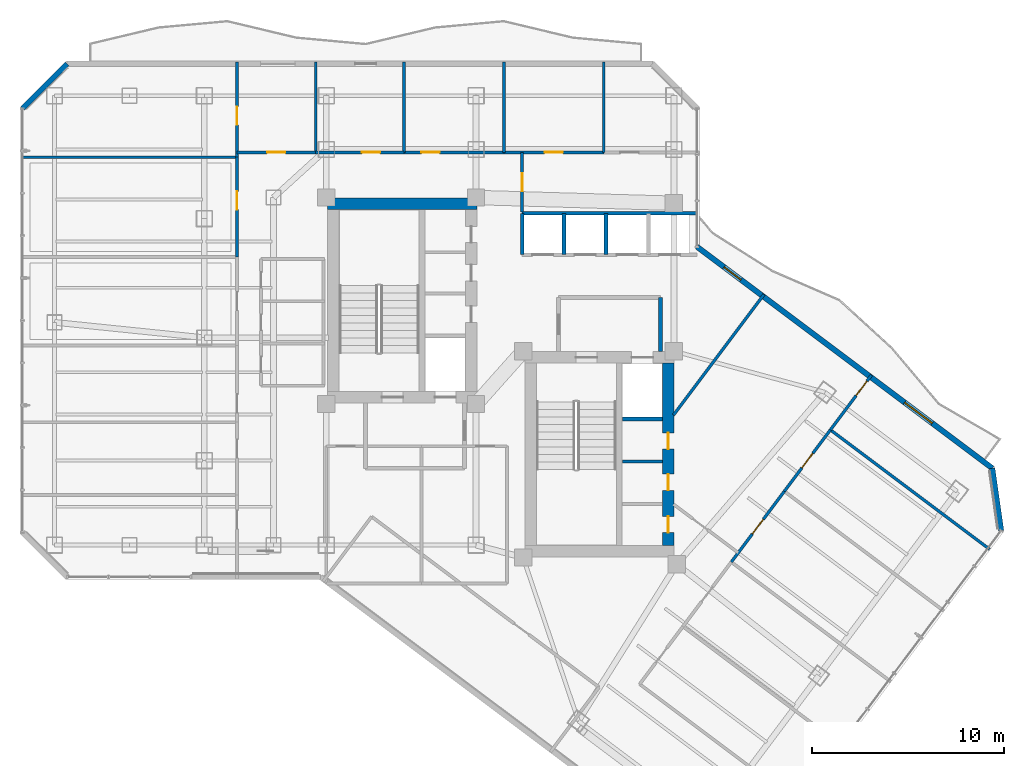
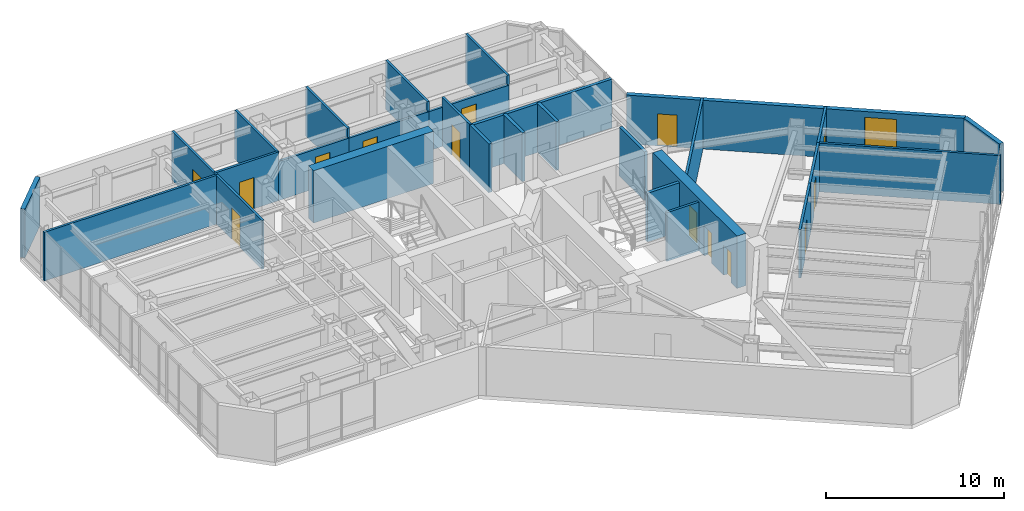
# One storey, part 24 of 29: 29 walls, 14 doors, 1 window, 15 openings.
"""IFC4 building model written with IfcOpenShell, lengths in metres."""

from ifc_helpers import new_model, si_unit, direction, frame, frame_2d, origin, place, context, subcontext, project, spatial, rectangle, extrude, material, layer, layer_set, type_object, element, fill, save


model = new_model("IFC4")

# Units and contexts
model_context = context("Model", 3, precision=1e-05, world=origin(), true_north=direction((0.0, 1.0)))
body_context = subcontext(model_context, "Body", "Model", "MODEL_VIEW")
ifc_project = project(units=[si_unit("LENGTHUNIT", "METRE"), si_unit("AREAUNIT", "SQUARE_METRE"), si_unit("VOLUMEUNIT", "CUBIC_METRE"), si_unit("PLANEANGLEUNIT", "RADIAN"), si_unit("MASSUNIT", "GRAM", prefix="KILO")], contexts=[model_context])

# Site, building, storey
site_placement = place(None, origin())
site = spatial("IfcSite", under=ifc_project, at=site_placement, CompositionType="ELEMENT")
building_placement = place(site_placement, origin())
building = spatial("IfcBuilding", under=site, at=building_placement, Name="Hatsunagi Terrace Concourse", CompositionType="ELEMENT")
storey_placement = place(building_placement, frame((0.0, 0.0, 149.25)))
storey = spatial("IfcBuildingStorey", under=building, at=storey_placement, Name="L39", CompositionType="ELEMENT", Elevation=149.25)

# Wall
ifc_material_1 = material(Name="Concrete Fc48", Category="concrete")
ifc_layer_1 = layer(ifc_material_1, 0.60009765625)
ifc_layer_set_1 = layer_set([ifc_layer_1], Name="CoreShearWall_Fc48_600")
wall_type_1 = type_object("IfcWallType", Name="CoreShearWall_Fc48_600", PredefinedType="SHEAR", material=ifc_layer_set_1)
wall_1_placement = place(storey_placement, frame((25.6201171875, 42.969970703125, 0.0), z_axis=(0.0, 0.0, 1.0), x_axis=(1.0, 0.0, 0.0)))
element("IfcWall", 1, at=wall_1_placement, inside=storey, type_object=wall_type_1, Name="Core A Shear Wall N L39", PredefinedType="SHEAR", context=body_context, shape_type="SweptSolid", body=[
    extrude(rectangle(XDim=7.77978515625, YDim=0.60009765625, at=frame_2d((3.889892578125, 0.0))), origin(), (0.0, 0.0, 1.0), 3.60009765625),
])

# Wall, openings, doors
wall_2_placement = place(storey_placement, frame((43.35009765625, 25.18994140625, 0.0), z_axis=(0.0, 0.0, 1.0), x_axis=(0.0, 1.0, 0.0)))
wall_2 = element("IfcWall", 2, at=wall_2_placement, inside=storey, type_object=wall_type_1, Name="Core B Shear Wall E L39", PredefinedType="SHEAR", context=body_context, shape_type="SweptSolid", body=[
    extrude(rectangle(XDim=9.47998046875, YDim=0.60009765625, at=frame_2d((4.739990234375, 0.0))), origin(), (0.0, 0.0, 1.0), 3.60009765625),
])
opening_1_placement = place(wall_2_placement, frame((0.659912109375, 0.0, 0.0)))
opening_1 = element("IfcOpeningElement", 3, at=opening_1_placement, cuts=wall_2, Name="Opening DR-085", PredefinedType="OPENING", context=body_context, shape_type="SweptSolid", body=[
    extrude(rectangle(XDim=0.85009765625, YDim=2.080078125, at=frame_2d((0.425048828125, 1.0400390625))), frame((0.0, 0.31005859375, 0.0), z_axis=(0.0, -1.0, 0.0), x_axis=(1.0, 0.0, 0.0)), (0.0, 0.0, 1.0), 0.6201171875),
])
opening_2_placement = place(wall_2_placement, frame((2.860107421875, 0.0, 0.0)))
opening_2 = element("IfcOpeningElement", 4, at=opening_2_placement, cuts=wall_2, Name="Opening DR-085", PredefinedType="OPENING", context=body_context, shape_type="SweptSolid", body=[
    extrude(rectangle(XDim=0.85009765625, YDim=2.080078125, at=frame_2d((0.425048828125, 1.0400390625))), frame((0.0, 0.31005859375, 0.0), z_axis=(0.0, -1.0, 0.0), x_axis=(1.0, 0.0, 0.0)), (0.0, 0.0, 1.0), 0.6201171875),
])
opening_3_placement = place(wall_2_placement, frame((5.010009765625, 0.0, 0.0)))
opening_3 = element("IfcOpeningElement", 5, at=opening_3_placement, cuts=wall_2, Name="Opening DR-085", PredefinedType="OPENING", context=body_context, shape_type="SweptSolid", body=[
    extrude(rectangle(XDim=0.85009765625, YDim=2.080078125, at=frame_2d((0.425048828125, 1.0400390625))), frame((0.0, 0.31005859375, 0.0), z_axis=(0.0, -1.0, 0.0), x_axis=(1.0, 0.0, 0.0)), (0.0, 0.0, 1.0), 0.6201171875),
])
ifc_material_2 = material(Name="Painted steel", Category="steel")
door_type_1 = type_object("IfcDoorType", Name="RiserAccessDoor_EI60_850", OperationType="NOTDEFINED", PredefinedType="DOOR", material=ifc_material_2)
door_1_placement = place(opening_1_placement, origin())
door_1 = element("IfcDoor", 6, at=door_1_placement, inside=storey, type_object=door_type_1, Name="Core B Riser Door L39-1", OperationType="SINGLE_SWING_RIGHT", OverallHeight=2.080078125, OverallWidth=0.85009765625, PredefinedType="DOOR", context=body_context, shape_type="SweptSolid", body=[
    extrude(rectangle(XDim=0.85009765625, YDim=2.080078125, at=frame_2d((0.425048828125, 1.0400390625))), frame((0.0, 0.02490234375, 0.0), z_axis=(0.0, -1.0, 0.0), x_axis=(1.0, 0.0, 0.0)), (0.0, 0.0, 1.0), 0.050048828125),
])
fill(opening_1, door_1)
door_2_placement = place(opening_2_placement, origin())
door_2 = element("IfcDoor", 7, at=door_2_placement, inside=storey, type_object=door_type_1, Name="Core B Riser Door L39-2", OperationType="SINGLE_SWING_RIGHT", OverallHeight=2.080078125, OverallWidth=0.85009765625, PredefinedType="DOOR", context=body_context, shape_type="SweptSolid", body=[
    extrude(rectangle(XDim=0.85009765625, YDim=2.080078125, at=frame_2d((0.425048828125, 1.0400390625))), frame((0.0, 0.02490234375, 0.0), z_axis=(0.0, -1.0, 0.0), x_axis=(1.0, 0.0, 0.0)), (0.0, 0.0, 1.0), 0.050048828125),
])
fill(opening_2, door_2)
door_3_placement = place(opening_3_placement, origin())
door_3 = element("IfcDoor", 8, at=door_3_placement, inside=storey, type_object=door_type_1, Name="Core B Riser Door L39-3", OperationType="SINGLE_SWING_RIGHT", OverallHeight=2.080078125, OverallWidth=0.85009765625, PredefinedType="DOOR", context=body_context, shape_type="SweptSolid", body=[
    extrude(rectangle(XDim=0.85009765625, YDim=2.080078125, at=frame_2d((0.425048828125, 1.0400390625))), frame((0.0, 0.02490234375, 0.0), z_axis=(0.0, -1.0, 0.0), x_axis=(1.0, 0.0, 0.0)), (0.0, 0.0, 1.0), 0.050048828125),
])
fill(opening_3, door_3)

# Walls
ifc_material_3 = material(Name="Acoustic mineral board", Category="gypsum")
ifc_layer_2 = layer(ifc_material_3, 0.14990234375)
ifc_layer_set_2 = layer_set([ifc_layer_2], Name="PartitionWall_EI60_150")
wall_type_2 = type_object("IfcWallType", Name="PartitionWall_EI60_150", PredefinedType="PARTITIONING", material=ifc_layer_set_2)
wall_3_placement = place(storey_placement, frame((40.969970703125, 29.550048828125, 0.0), z_axis=(0.0, 0.0, 1.0), x_axis=(1.0, 0.0, 0.0)))
element("IfcWall", 9, at=wall_3_placement, inside=storey, type_object=wall_type_2, Name="Interior Partition IW-L39-006", PredefinedType="PARTITIONING", context=body_context, shape_type="SweptSolid", body=[
    extrude(rectangle(XDim=2.080078125, YDim=0.14990234375, at=frame_2d((1.0400390625, 0.0))), origin(), (0.0, 0.0, 1.0), 3.35009765625),
])
wall_4_placement = place(storey_placement, frame((9.639892578125, 45.39990234375, 0.0), z_axis=(0.0, 0.0, 1.0), x_axis=(1.0, 0.0, 0.0)))
element("IfcWall", 10, at=wall_4_placement, inside=storey, type_object=wall_type_2, Name="Interior Partition IW-L39-042", PredefinedType="PARTITIONING", context=body_context, shape_type="SweptSolid", body=[
    extrude(rectangle(XDim=11.260009765625, YDim=0.14990234375, at=frame_2d((5.6298828125, 0.0))), origin(), (0.0, 0.0, 1.0), 3.35009765625),
])

# Wall, opening, door
wall_5_placement = place(storey_placement, frame((20.89990234375, 40.199951171875, 0.0), z_axis=(0.0, 0.0, 1.0), x_axis=(0.0, 1.0, 0.0)))
wall_5 = element("IfcWall", 11, at=wall_5_placement, inside=storey, type_object=wall_type_2, Name="Interior Partition IW-L39-043", PredefinedType="PARTITIONING", context=body_context, shape_type="SweptSolid", body=[
    extrude(rectangle(XDim=5.199951171875, YDim=0.14990234375, at=frame_2d((2.60009765625, 0.0))), origin(), (0.0, 0.0, 1.0), 3.35009765625),
])
opening_4_placement = place(wall_5_placement, frame((2.47412109375, 0.0, 0.0)))
opening_4 = element("IfcOpeningElement", 12, at=opening_4_placement, cuts=wall_5, Name="Opening DR-095", PredefinedType="OPENING", context=body_context, shape_type="SweptSolid", body=[
    extrude(rectangle(XDim=0.949951171875, YDim=2.14990234375, at=frame_2d((0.47509765625, 1.074951171875))), frame((0.0, 0.0849609375, 0.0), z_axis=(0.0, -1.0, 0.0), x_axis=(1.0, 0.0, 0.0)), (0.0, 0.0, 1.0), 0.169921875),
])
ifc_material_4 = material(Name="Hardwood timber", Category="wood")
door_type_2 = type_object("IfcDoorType", Name="InteriorSuiteDoor_EI30_950", OperationType="NOTDEFINED", PredefinedType="DOOR", material=ifc_material_4)
door_4_placement = place(opening_4_placement, origin())
door_4 = element("IfcDoor", 13, at=door_4_placement, inside=storey, type_object=door_type_2, Name="Executive Office L39-OW5 Door", OperationType="SINGLE_SWING_LEFT", OverallHeight=2.14990234375, OverallWidth=0.949951171875, PredefinedType="DOOR", context=body_context, shape_type="SweptSolid", body=[
    extrude(rectangle(XDim=0.949951171875, YDim=2.14990234375, at=frame_2d((0.47509765625, 1.074951171875))), frame((0.0, 0.02490234375, 0.0), z_axis=(0.0, -1.0, 0.0), x_axis=(1.0, 0.0, 0.0)), (0.0, 0.0, 1.0), 0.050048828125),
])
fill(opening_4, door_4)

wall_6_placement = place(storey_placement, frame((20.89990234375, 45.39990234375, 0.0), z_axis=(0.0, 0.0, 1.0), x_axis=(0.0, 1.0, 0.0)))
wall_6 = element("IfcWall", 14, at=wall_6_placement, inside=storey, type_object=wall_type_2, Name="Interior Partition IW-L39-044", PredefinedType="PARTITIONING", context=body_context, shape_type="SweptSolid", body=[
    extrude(rectangle(XDim=4.960205078125, YDim=0.14990234375, at=frame_2d((2.47998046875, 0.0))), origin(), (0.0, 0.0, 1.0), 3.35009765625),
])
opening_5_placement = place(wall_6_placement, frame((1.679931640625, 0.0, 0.0)))
opening_5 = element("IfcOpeningElement", 15, at=opening_5_placement, cuts=wall_6, Name="Opening DR-095", PredefinedType="OPENING", context=body_context, shape_type="SweptSolid", body=[
    extrude(rectangle(XDim=0.949951171875, YDim=2.14990234375, at=frame_2d((0.47509765625, 1.074951171875))), frame((0.0, 0.0849609375, 0.0), z_axis=(0.0, -1.0, 0.0), x_axis=(1.0, 0.0, 0.0)), (0.0, 0.0, 1.0), 0.169921875),
])
door_5_placement = place(opening_5_placement, origin())
door_5 = element("IfcDoor", 16, at=door_5_placement, inside=storey, type_object=door_type_2, Name="Team Innovation Studio L39-OW6 Door", OperationType="SINGLE_SWING_RIGHT", OverallHeight=2.14990234375, OverallWidth=0.949951171875, PredefinedType="DOOR", context=body_context, shape_type="SweptSolid", body=[
    extrude(rectangle(XDim=0.949951171875, YDim=2.14990234375, at=frame_2d((0.47509765625, 1.074951171875))), frame((0.0, 0.02490234375, 0.0), z_axis=(0.0, -1.0, 0.0), x_axis=(1.0, 0.0, 0.0)), (0.0, 0.0, 1.0), 0.050048828125),
])
fill(opening_5, door_5)

wall_7_placement = place(storey_placement, frame((20.89990234375, 45.64990234375, 0.0), z_axis=(0.0, 0.0, 1.0), x_axis=(1.0, 0.0, 0.0)))
wall_7 = element("IfcWall", 17, at=wall_7_placement, inside=storey, type_object=wall_type_2, Name="Interior Partition IW-L39-045", PredefinedType="PARTITIONING", context=body_context, shape_type="SweptSolid", body=[
    extrude(rectangle(XDim=4.10009765625, YDim=0.14990234375, at=frame_2d((2.050048828125, 0.0))), origin(), (0.0, 0.0, 1.0), 3.35009765625),
])
opening_6_placement = place(wall_7_placement, frame((1.574951171875, 0.0, 0.0)))
opening_6 = element("IfcOpeningElement", 18, at=opening_6_placement, cuts=wall_7, Name="Opening DR-095", PredefinedType="OPENING", context=body_context, shape_type="SweptSolid", body=[
    extrude(rectangle(XDim=0.949951171875, YDim=2.14990234375, at=frame_2d((0.47509765625, 1.074951171875))), frame((0.0, 0.0849609375, 0.0), z_axis=(0.0, -1.0, 0.0), x_axis=(1.0, 0.0, 0.0)), (0.0, 0.0, 1.0), 0.169921875),
])
door_6_placement = place(opening_6_placement, origin())
door_6 = element("IfcDoor", 19, at=door_6_placement, inside=storey, type_object=door_type_2, Name="Executive Briefing Room L39-ON1 Door", OperationType="SINGLE_SWING_LEFT", OverallHeight=2.14990234375, OverallWidth=0.949951171875, PredefinedType="DOOR", context=body_context, shape_type="SweptSolid", body=[
    extrude(rectangle(XDim=0.949951171875, YDim=2.14990234375, at=frame_2d((0.47509765625, 1.074951171875))), frame((0.0, 0.02490234375, 0.0), z_axis=(0.0, -1.0, 0.0), x_axis=(1.0, 0.0, 0.0)), (0.0, 0.0, 1.0), 0.050048828125),
])
fill(opening_6, door_6)

# Wall
wall_8_placement = place(storey_placement, frame((25.0, 45.64990234375, 0.0), z_axis=(0.0, 0.0, 1.0), x_axis=(0.0, 1.0, 0.0)))
element("IfcWall", 20, at=wall_8_placement, inside=storey, type_object=wall_type_2, Name="Interior Partition IW-L39-046", PredefinedType="PARTITIONING", context=body_context, shape_type="SweptSolid", body=[
    extrude(rectangle(XDim=4.710205078125, YDim=0.14990234375, at=frame_2d((2.35498046875, 0.0))), origin(), (0.0, 0.0, 1.0), 3.35009765625),
])

# Wall, opening, door
wall_9_placement = place(storey_placement, frame((25.0, 45.64990234375, 0.0), z_axis=(0.0, 0.0, 1.0), x_axis=(1.0, 0.0, 0.0)))
wall_9 = element("IfcWall", 21, at=wall_9_placement, inside=storey, type_object=wall_type_2, Name="Interior Partition IW-L39-047", PredefinedType="PARTITIONING", context=body_context, shape_type="SweptSolid", body=[
    extrude(rectangle(XDim=4.60009765625, YDim=0.14990234375, at=frame_2d((2.300048828125, 0.0))), origin(), (0.0, 0.0, 1.0), 2.695068359375),
])
opening_7_placement = place(wall_9_placement, frame((2.403076171875, 0.0, 0.0)))
opening_7 = element("IfcOpeningElement", 22, at=opening_7_placement, cuts=wall_9, Name="Opening DR-095", PredefinedType="OPENING", context=body_context, shape_type="SweptSolid", body=[
    extrude(rectangle(XDim=0.949951171875, YDim=2.14990234375, at=frame_2d((0.47509765625, 1.074951171875))), frame((0.0, 0.0849609375, 0.0), z_axis=(0.0, -1.0, 0.0), x_axis=(1.0, 0.0, 0.0)), (0.0, 0.0, 1.0), 0.169921875),
])
door_7_placement = place(opening_7_placement, origin())
door_7 = element("IfcDoor", 23, at=door_7_placement, inside=storey, type_object=door_type_2, Name="Breakout Pantry L39-ON2 Door", OperationType="SINGLE_SWING_RIGHT", OverallHeight=2.14990234375, OverallWidth=0.949951171875, PredefinedType="DOOR", context=body_context, shape_type="SweptSolid", body=[
    extrude(rectangle(XDim=0.949951171875, YDim=2.14990234375, at=frame_2d((0.47509765625, 1.074951171875))), frame((0.0, 0.02490234375, 0.0), z_axis=(0.0, -1.0, 0.0), x_axis=(1.0, 0.0, 0.0)), (0.0, 0.0, 1.0), 0.050048828125),
])
fill(opening_7, door_7)

# Wall
wall_10_placement = place(storey_placement, frame((29.60009765625, 45.64990234375, 0.0), z_axis=(0.0, 0.0, 1.0), x_axis=(0.0, 1.0, 0.0)))
element("IfcWall", 24, at=wall_10_placement, inside=storey, type_object=wall_type_2, Name="Interior Partition IW-L39-048", PredefinedType="PARTITIONING", context=body_context, shape_type="SweptSolid", body=[
    extrude(rectangle(XDim=4.710205078125, YDim=0.14990234375, at=frame_2d((2.35498046875, 0.0))), origin(), (0.0, 0.0, 1.0), 3.35009765625),
])

# Wall, opening, door
wall_11_placement = place(storey_placement, frame((29.60009765625, 45.64990234375, 0.0), z_axis=(0.0, 0.0, 1.0), x_axis=(1.0, 0.0, 0.0)))
wall_11 = element("IfcWall", 25, at=wall_11_placement, inside=storey, type_object=wall_type_2, Name="Interior Partition IW-L39-049", PredefinedType="PARTITIONING", context=body_context, shape_type="SweptSolid", body=[
    extrude(rectangle(XDim=5.199951171875, YDim=0.14990234375, at=frame_2d((2.60009765625, 0.0))), origin(), (0.0, 0.0, 1.0), 2.695068359375),
])
opening_8_placement = place(wall_11_placement, frame((0.903076171875, 0.0, 0.0)))
opening_8 = element("IfcOpeningElement", 26, at=opening_8_placement, cuts=wall_11, Name="Opening DR-095", PredefinedType="OPENING", context=body_context, shape_type="SweptSolid", body=[
    extrude(rectangle(XDim=0.949951171875, YDim=2.14990234375, at=frame_2d((0.47509765625, 1.074951171875))), frame((0.0, 0.0849609375, 0.0), z_axis=(0.0, -1.0, 0.0), x_axis=(1.0, 0.0, 0.0)), (0.0, 0.0, 1.0), 0.169921875),
])
door_8_placement = place(opening_8_placement, origin())
door_8 = element("IfcDoor", 27, at=door_8_placement, inside=storey, type_object=door_type_2, Name="Executive Briefing Room L39-ON3 Door", OperationType="SINGLE_SWING_RIGHT", OverallHeight=2.14990234375, OverallWidth=0.949951171875, PredefinedType="DOOR", context=body_context, shape_type="SweptSolid", body=[
    extrude(rectangle(XDim=0.949951171875, YDim=2.14990234375, at=frame_2d((0.47509765625, 1.074951171875))), frame((0.0, 0.02490234375, 0.0), z_axis=(0.0, -1.0, 0.0), x_axis=(1.0, 0.0, 0.0)), (0.0, 0.0, 1.0), 0.050048828125),
])
fill(opening_8, door_8)

# Wall
wall_12_placement = place(storey_placement, frame((34.800048828125, 45.64990234375, 0.0), z_axis=(0.0, 0.0, 1.0), x_axis=(0.0, 1.0, 0.0)))
element("IfcWall", 28, at=wall_12_placement, inside=storey, type_object=wall_type_2, Name="Interior Partition IW-L39-050", PredefinedType="PARTITIONING", context=body_context, shape_type="SweptSolid", body=[
    extrude(rectangle(XDim=4.710205078125, YDim=0.14990234375, at=frame_2d((2.35498046875, 0.0))), origin(), (0.0, 0.0, 1.0), 3.35009765625),
])

# Wall, opening, door
wall_13_placement = place(storey_placement, frame((34.800048828125, 45.64990234375, 0.0), z_axis=(0.0, 0.0, 1.0), x_axis=(1.0, 0.0, 0.0)))
wall_13 = element("IfcWall", 29, at=wall_13_placement, inside=storey, type_object=wall_type_2, Name="Interior Partition IW-L39-051", PredefinedType="PARTITIONING", context=body_context, shape_type="SweptSolid", body=[
    extrude(rectangle(XDim=5.199951171875, YDim=0.14990234375, at=frame_2d((2.60009765625, 0.0))), origin(), (0.0, 0.0, 1.0), 2.695068359375),
])
opening_9_placement = place(wall_13_placement, frame((2.125, 0.0, 0.0)))
opening_9 = element("IfcOpeningElement", 30, at=opening_9_placement, cuts=wall_13, Name="Opening DR-095", PredefinedType="OPENING", context=body_context, shape_type="SweptSolid", body=[
    extrude(rectangle(XDim=0.949951171875, YDim=2.14990234375, at=frame_2d((0.47509765625, 1.074951171875))), frame((0.0, 0.0849609375, 0.0), z_axis=(0.0, -1.0, 0.0), x_axis=(1.0, 0.0, 0.0)), (0.0, 0.0, 1.0), 0.169921875),
])
door_9_placement = place(opening_9_placement, origin())
door_9 = element("IfcDoor", 31, at=door_9_placement, inside=storey, type_object=door_type_2, Name="Breakout Pantry L39-ON4 Door", OperationType="SINGLE_SWING_RIGHT", OverallHeight=2.14990234375, OverallWidth=0.949951171875, PredefinedType="DOOR", context=body_context, shape_type="SweptSolid", body=[
    extrude(rectangle(XDim=0.949951171875, YDim=2.14990234375, at=frame_2d((0.47509765625, 1.074951171875))), frame((0.0, 0.02490234375, 0.0), z_axis=(0.0, -1.0, 0.0), x_axis=(1.0, 0.0, 0.0)), (0.0, 0.0, 1.0), 0.050048828125),
])
fill(opening_9, door_9)

# Wall
wall_14_placement = place(storey_placement, frame((40.0, 45.64990234375, 0.0), z_axis=(0.0, 0.0, 1.0), x_axis=(0.0, 1.0, 0.0)))
element("IfcWall", 32, at=wall_14_placement, inside=storey, type_object=wall_type_2, Name="Interior Partition IW-L39-052", PredefinedType="PARTITIONING", context=body_context, shape_type="SweptSolid", body=[
    extrude(rectangle(XDim=4.710205078125, YDim=0.14990234375, at=frame_2d((2.35498046875, 0.0))), origin(), (0.0, 0.0, 1.0), 3.35009765625),
])

# Wall, opening, door
wall_15_placement = place(storey_placement, frame((46.639892578125, 24.320068359375, 0.0), z_axis=(0.0, 0.0, 1.0), x_axis=(0.600008491904, 0.799993631001, 0.0)))
wall_15 = element("IfcWall", 33, at=wall_15_placement, inside=storey, type_object=wall_type_2, Name="Interior Partition IW-L39-060", PredefinedType="PARTITIONING", context=body_context, shape_type="SweptSolid", body=[
    extrude(rectangle(XDim=4.599853515625, YDim=0.14990234375, at=frame_2d((2.2998046875, 0.0))), origin(), (0.0, 0.0, 1.0), 3.35009765625),
])
opening_10_placement = place(wall_15_placement, frame((1.824951171875, 0.0, 0.0)))
opening_10 = element("IfcOpeningElement", 34, at=opening_10_placement, cuts=wall_15, Name="Opening DR-095", PredefinedType="OPENING", context=body_context, shape_type="SweptSolid", body=[
    extrude(rectangle(XDim=0.949951171875, YDim=2.14990234375, at=frame_2d((0.47509765625, 1.074951171875))), frame((0.0, 0.0849609375, 0.0), z_axis=(0.0, -1.0, 0.0), x_axis=(1.0, 0.0, 0.0)), (0.0, 0.0, 1.0), 0.169921875),
])
door_10_placement = place(opening_10_placement, origin())
door_10 = element("IfcDoor", 35, at=door_10_placement, inside=storey, type_object=door_type_2, Name="Focus Room L39-OSE3 Door", OperationType="SINGLE_SWING_RIGHT", OverallHeight=2.14990234375, OverallWidth=0.949951171875, PredefinedType="DOOR", context=body_context, shape_type="SweptSolid", body=[
    extrude(rectangle(XDim=0.949951171875, YDim=2.14990234375, at=frame_2d((0.47509765625, 1.074951171875))), frame((0.0, 0.02490234375, 0.0), z_axis=(0.0, -1.0, 0.0), x_axis=(1.0, 0.0, 0.0)), (0.0, 0.0, 1.0), 0.050048828125),
])
fill(opening_10, door_10)

# Wall
wall_16_placement = place(storey_placement, frame((51.800048828125, 31.199951171875, 0.0), z_axis=(0.0, 0.0, 1.0), x_axis=(0.799991516197, -0.600011311571, 0.0)))
element("IfcWall", 36, at=wall_16_placement, inside=storey, type_object=wall_type_2, Name="Interior Partition IW-L39-061", PredefinedType="PARTITIONING", context=body_context, shape_type="SweptSolid", body=[
    extrude(rectangle(XDim=10.35986328125, YDim=0.14990234375, at=frame_2d((5.179931640625, 0.0))), origin(), (0.0, 0.0, 1.0), 3.35009765625),
])

# Wall, opening, door
wall_17_placement = place(storey_placement, frame((49.39990234375, 28.0, 0.0), z_axis=(0.0, 0.0, 1.0), x_axis=(0.600029296115, 0.799978027076, 0.0)))
wall_17 = element("IfcWall", 37, at=wall_17_placement, inside=storey, type_object=wall_type_2, Name="Interior Partition IW-L39-062", PredefinedType="PARTITIONING", context=body_context, shape_type="SweptSolid", body=[
    extrude(rectangle(XDim=4.0, YDim=0.14990234375, at=frame_2d((2.0, 0.0))), origin(), (0.0, 0.0, 1.0), 3.35009765625),
])
opening_11_placement = place(wall_17_placement, frame((1.52490234375, 0.0, 0.0)))
opening_11 = element("IfcOpeningElement", 38, at=opening_11_placement, cuts=wall_17, Name="Opening DR-095", PredefinedType="OPENING", context=body_context, shape_type="SweptSolid", body=[
    extrude(rectangle(XDim=0.949951171875, YDim=2.14990234375, at=frame_2d((0.47509765625, 1.074951171875))), frame((0.0, 0.0849609375, 0.0), z_axis=(0.0, -1.0, 0.0), x_axis=(1.0, 0.0, 0.0)), (0.0, 0.0, 1.0), 0.169921875),
])
door_11_placement = place(opening_11_placement, origin())
door_11 = element("IfcDoor", 39, at=door_11_placement, inside=storey, type_object=door_type_2, Name="Executive Office L39-OSE4 Door", OperationType="SINGLE_SWING_RIGHT", OverallHeight=2.14990234375, OverallWidth=0.949951171875, PredefinedType="DOOR", context=body_context, shape_type="SweptSolid", body=[
    extrude(rectangle(XDim=0.949951171875, YDim=2.14990234375, at=frame_2d((0.47509765625, 1.074951171875))), frame((0.0, 0.02490234375, 0.0), z_axis=(0.0, -1.0, 0.0), x_axis=(1.0, 0.0, 0.0)), (0.0, 0.0, 1.0), 0.050048828125),
])
fill(opening_11, door_11)

wall_18_placement = place(storey_placement, frame((51.800048828125, 31.199951171875, 0.0), z_axis=(0.0, 0.0, 1.0), x_axis=(0.599978055212, 0.800016458121, 0.0)))
wall_18 = element("IfcWall", 40, at=wall_18_placement, inside=storey, type_object=wall_type_2, Name="Interior Partition IW-L39-063", PredefinedType="PARTITIONING", context=body_context, shape_type="SweptSolid", body=[
    extrude(rectangle(XDim=3.56005859375, YDim=0.14990234375, at=frame_2d((1.780029296875, 0.0))), origin(), (0.0, 0.0, 1.0), 3.35009765625),
])
opening_12_placement = place(wall_18_placement, frame((2.22998046875, 0.0, 0.0)))
opening_12 = element("IfcOpeningElement", 41, at=opening_12_placement, cuts=wall_18, Name="Opening DR-095", PredefinedType="OPENING", context=body_context, shape_type="SweptSolid", body=[
    extrude(rectangle(XDim=0.949951171875, YDim=2.14990234375, at=frame_2d((0.47509765625, 1.074951171875))), frame((0.0, 0.0849609375, 0.0), z_axis=(0.0, -1.0, 0.0), x_axis=(1.0, 0.0, 0.0)), (0.0, 0.0, 1.0), 0.169921875),
])
door_12_placement = place(opening_12_placement, origin())
door_12 = element("IfcDoor", 42, at=door_12_placement, inside=storey, type_object=door_type_2, Name="Focus Room L39-OSE5 Door", OperationType="SINGLE_SWING_RIGHT", OverallHeight=2.14990234375, OverallWidth=0.949951171875, PredefinedType="DOOR", context=body_context, shape_type="SweptSolid", body=[
    extrude(rectangle(XDim=0.949951171875, YDim=2.14990234375, at=frame_2d((0.47509765625, 1.074951171875))), frame((0.0, 0.02490234375, 0.0), z_axis=(0.0, -1.0, 0.0), x_axis=(1.0, 0.0, 0.0)), (0.0, 0.0, 1.0), 0.050048828125),
])
fill(opening_12, door_12)

# Wall
wall_19_placement = place(storey_placement, frame((43.6298828125, 31.972900390625, 0.0), z_axis=(0.0, 0.0, 1.0), x_axis=(0.599975099311, 0.800018674911, 0.0)))
element("IfcWall", 43, at=wall_19_placement, inside=storey, type_object=wall_type_2, Name="Interior Partition IW-L39-065", PredefinedType="PARTITIONING", context=body_context, shape_type="SweptSolid", body=[
    extrude(rectangle(XDim=7.84375, YDim=0.14990234375, at=frame_2d((3.921875, 0.0))), origin(), (0.0, 0.0, 1.0), 3.35009765625),
])

# Wall, opening, door
wall_20_placement = place(storey_placement, frame((35.75, 42.550048828125, 0.0), z_axis=(0.0, 0.0, 1.0), x_axis=(0.0, 1.0, 0.0)))
wall_20 = element("IfcWall", 44, at=wall_20_placement, inside=storey, type_object=wall_type_2, Name="Interior Partition IW-L39-066", PredefinedType="PARTITIONING", context=body_context, shape_type="SweptSolid", body=[
    extrude(rectangle(XDim=3.099853515625, YDim=0.14990234375, at=frame_2d((1.5498046875, 0.0))), origin(), (0.0, 0.0, 1.0), 3.35009765625),
])
opening_13_placement = place(wall_20_placement, frame((1.074951171875, 0.0, 0.0)))
opening_13 = element("IfcOpeningElement", 45, at=opening_13_placement, cuts=wall_20, Name="Opening DR-095", PredefinedType="OPENING", context=body_context, shape_type="SweptSolid", body=[
    extrude(rectangle(XDim=0.949951171875, YDim=2.14990234375, at=frame_2d((0.47509765625, 1.074951171875))), frame((0.0, 0.0849609375, 0.0), z_axis=(0.0, -1.0, 0.0), x_axis=(1.0, 0.0, 0.0)), (0.0, 0.0, 1.0), 0.169921875),
])
door_13_placement = place(opening_13_placement, origin())
door_13 = element("IfcDoor", 46, at=door_13_placement, inside=storey, type_object=door_type_2, Name="Executive Briefing Room L39-ONEB Door", OperationType="SINGLE_SWING_RIGHT", OverallHeight=2.14990234375, OverallWidth=0.949951171875, PredefinedType="DOOR", context=body_context, shape_type="SweptSolid", body=[
    extrude(rectangle(XDim=0.949951171875, YDim=2.14990234375, at=frame_2d((0.47509765625, 1.074951171875))), frame((0.0, 0.02490234375, 0.0), z_axis=(0.0, -1.0, 0.0), x_axis=(1.0, 0.0, 0.0)), (0.0, 0.0, 1.0), 0.050048828125),
])
fill(opening_13, door_13)

# Walls
ifc_material_5 = material(Name="Acoustic mineral board", Category="gypsum")
ifc_layer_3 = layer(ifc_material_5, 0.199951171875)
ifc_layer_set_3 = layer_set([ifc_layer_3], Name="ShaftWall_EI120_200")
wall_type_3 = type_object("IfcWallType", Name="ShaftWall_EI120_200", PredefinedType="STANDARD", material=ifc_layer_set_3)
wall_21_placement = place(storey_placement, frame((40.969970703125, 31.760009765625, 0.0), z_axis=(0.0, 0.0, 1.0), x_axis=(1.0, 0.0, 0.0)))
element("IfcWall", 47, at=wall_21_placement, inside=storey, type_object=wall_type_3, Name="Interior Partition IW-L39-004", PredefinedType="STANDARD", context=body_context, shape_type="SweptSolid", body=[
    extrude(rectangle(XDim=2.080078125, YDim=0.199951171875, at=frame_2d((1.0400390625, 0.0))), origin(), (0.0, 0.0, 1.0), 3.35009765625),
])
wall_22_placement = place(storey_placement, frame((42.949951171875, 35.27001953125, 0.0), z_axis=(0.0, 0.0, 1.0), x_axis=(0.0, 1.0, 0.0)))
element("IfcWall", 48, at=wall_22_placement, inside=storey, type_object=wall_type_3, Name="Interior Partition IW-L39-011", PredefinedType="STANDARD", context=body_context, shape_type="SweptSolid", body=[
    extrude(rectangle(XDim=2.830078125, YDim=0.199951171875, at=frame_2d((1.4150390625, 0.0))), origin(), (0.0, 0.0, 1.0), 3.35009765625),
])
wall_23_placement = place(storey_placement, frame((35.75, 42.47998046875, 0.0), z_axis=(0.0, 0.0, 1.0), x_axis=(1.0, 0.0, 0.0)))
element("IfcWall", 49, at=wall_23_placement, inside=storey, type_object=wall_type_3, Name="Interior Partition IW-L39-013", PredefinedType="STANDARD", context=body_context, shape_type="SweptSolid", body=[
    extrude(rectangle(XDim=9.110107421875, YDim=0.199951171875, at=frame_2d((4.55517578125, 0.0))), origin(), (0.0, 0.0, 1.0), 3.35009765625),
])
for number, where, z_axis, x_axis, name in (
    (50, (35.75, 40.320068359375, 0.0), (0.0, 0.0, 1.0), (0.0, 1.0, 0.0), "Interior Partition IW-L39-014"),
    (51, (37.919921875, 40.320068359375, 0.0), (0.0, 0.0, 1.0), (0.0, 1.0, 0.0), "Interior Partition IW-L39-015"),
    (52, (40.1201171875, 40.320068359375, 0.0), (0.0, 0.0, 1.0), (0.0, 1.0, 0.0), "Interior Partition IW-L39-016"),
):
    element("IfcWall", number, at=place(storey_placement, frame(where, z_axis=z_axis, x_axis=x_axis)), inside=storey, type_object=wall_type_3, Name=name, PredefinedType="STANDARD", context=body_context, shape_type="SweptSolid", body=[
        extrude(rectangle(XDim=2.159912109375, YDim=0.199951171875, at=frame_2d((1.080078125, 0.0))), origin(), (0.0, 0.0, 1.0), 3.35009765625),
    ])

# Wall, openings, door, window
ifc_material_6 = material(Name="Autoclaved Lightweight Concrete and Terracotta Cladding", Category="masonry")
ifc_layer_4 = layer(ifc_material_6, 0.280029296875)
ifc_layer_set_4 = layer_set([ifc_layer_4], Name="TerracottaSpandrelWall_280")
wall_type_4 = type_object("IfcWallType", Name="TerracottaSpandrelWall_280", PredefinedType="STANDARD", material=ifc_layer_set_4)
wall_24_placement = place(storey_placement, frame((44.860107421875, 40.72998046875, 0.0), z_axis=(0.0, 0.0, 1.0), x_axis=(0.800007624502, -0.599989833863, 0.0)))
wall_24 = element("IfcWall", 53, at=wall_24_placement, inside=storey, type_object=wall_type_4, Name="Exterior Spandrel Wall EW-L39-01", PredefinedType="STANDARD", context=body_context, shape_type="SweptSolid", body=[
    extrude(rectangle(XDim=19.212158203125, YDim=0.280029296875, at=frame_2d((9.60595703125, 0.0))), origin(), (0.0, 0.0, 1.0), 3.35009765625),
])
opening_14_placement = place(wall_24_placement, frame((1.7548828125, 0.0, 0.0)))
opening_14 = element("IfcOpeningElement", 54, at=opening_14_placement, cuts=wall_24, Name="Opening BD-01", PredefinedType="OPENING", context=body_context, shape_type="SweptSolid", body=[
    extrude(rectangle(XDim=1.10009765625, YDim=2.199951171875, at=frame_2d((0.550048828125, 1.10009765625))), frame((0.0, 0.14990234375, 0.0), z_axis=(0.0, -1.0, 0.0), x_axis=(1.0, 0.0, 0.0)), (0.0, 0.0, 1.0), 0.300048828125),
])
opening_15_placement = place(wall_24_placement, frame((13.509033203125, 0.0, 0.85009765625)))
opening_15 = element("IfcOpeningElement", 55, at=opening_15_placement, cuts=wall_24, Name="Opening WIN-03", PredefinedType="OPENING", context=body_context, shape_type="SweptSolid", body=[
    extrude(rectangle(XDim=1.800048828125, YDim=2.10009765625, at=frame_2d((0.89990234375, 1.050048828125))), frame((0.0, 0.14990234375, 0.0), z_axis=(0.0, -1.0, 0.0), x_axis=(1.0, 0.0, 0.0)), (0.0, 0.0, 1.0), 0.300048828125),
])
ifc_material_7 = material(Name="Galvanised Steel and Laminated Safety Glass", Category="steel")
door_type_3 = type_object("IfcDoorType", Name="BalconyTerraceAccessDoor_1100x2200", OperationType="SINGLE_SWING_LEFT", PredefinedType="DOOR", material=ifc_material_7)
door_14_placement = place(opening_14_placement, origin())
door_14 = element("IfcDoor", 56, at=door_14_placement, inside=storey, type_object=door_type_3, Name="Engawa Balcony Door L39-BSE", OperationType="SINGLE_SWING_LEFT", OverallHeight=2.199951171875, OverallWidth=1.10009765625, PredefinedType="DOOR", context=body_context, shape_type="SweptSolid", body=[
    extrude(rectangle(XDim=1.10009765625, YDim=2.199951171875, at=frame_2d((0.550048828125, 1.10009765625))), frame((0.0, 0.02490234375, 0.0), z_axis=(0.0, -1.0, 0.0), x_axis=(1.0, 0.0, 0.0)), (0.0, 0.0, 1.0), 0.050048828125),
])
fill(opening_14, door_14)
ifc_material_8 = material(Name="Thermally Broken Aluminium and Low-E Triple Glazing", Category="aluminium")
window_type = type_object("IfcWindowType", Name="OfficeCornerFeatureWindow_1800x2100", PartitioningType="SINGLE_PANEL", PredefinedType="WINDOW", material=ifc_material_8)
window_placement = place(opening_15_placement, origin())
window = element("IfcWindow", 57, at=window_placement, inside=storey, type_object=window_type, Name="Balcony Daylighting Window L39-01-2", OverallHeight=2.10009765625, OverallWidth=1.800048828125, PartitioningType="SINGLE_PANEL", PredefinedType="WINDOW", context=body_context, shape_type="SweptSolid", body=[
    extrude(rectangle(XDim=1.800048828125, YDim=2.10009765625, at=frame_2d((0.89990234375, 1.050048828125))), frame((0.0, 0.030029296875, 0.0), z_axis=(0.0, -1.0, 0.0), x_axis=(1.0, 0.0, 0.0)), (0.0, 0.0, 1.0), 0.06005859375),
])
fill(opening_15, window)

# Walls
wall_25_placement = place(storey_placement, frame((60.22998046875, 29.202880859375, 0.0), z_axis=(0.0, 0.0, 1.0), x_axis=(0.141296221922, -0.989967361922, 0.0)))
element("IfcWall", 58, at=wall_25_placement, inside=storey, type_object=wall_type_4, Name="Exterior Spandrel Wall EW-L39-02", PredefinedType="STANDARD", context=body_context, shape_type="SweptSolid", body=[
    extrude(rectangle(XDim=3.27783203125, YDim=0.280029296875, at=frame_2d((1.638916015625, 0.0))), origin(), (0.0, 0.0, 1.0), 3.35009765625),
])
wall_26_placement = place(storey_placement, frame((9.739990234375, 47.94189453125, 0.0), z_axis=(0.0, 0.0, 1.0), x_axis=(0.707106781187, 0.707106781187, 0.0)))
element("IfcWall", 59, at=wall_26_placement, inside=storey, type_object=wall_type_4, Name="Exterior Spandrel Wall EW-L39-10", PredefinedType="STANDARD", context=body_context, shape_type="SweptSolid", body=[
    extrude(rectangle(XDim=3.2783203125, YDim=0.280029296875, at=frame_2d((1.63916015625, 0.0))), origin(), (0.0, 0.0, 1.0), 3.35009765625),
])

save(model, "model.ifc")
